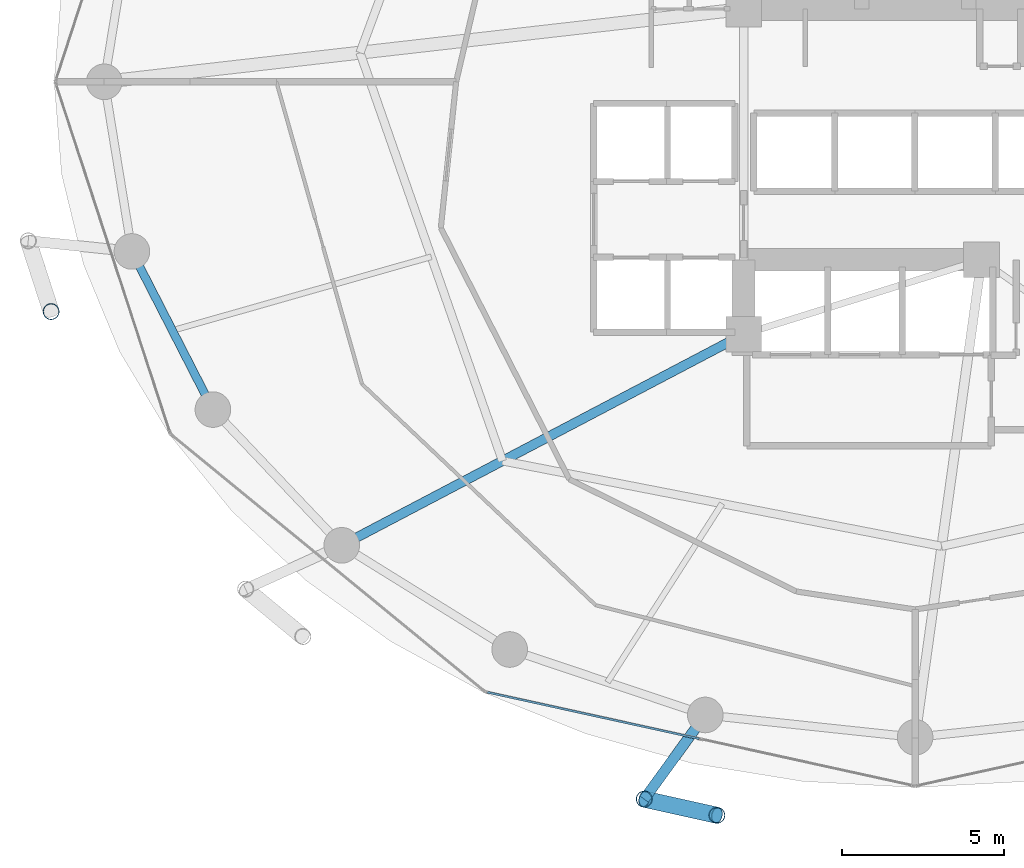
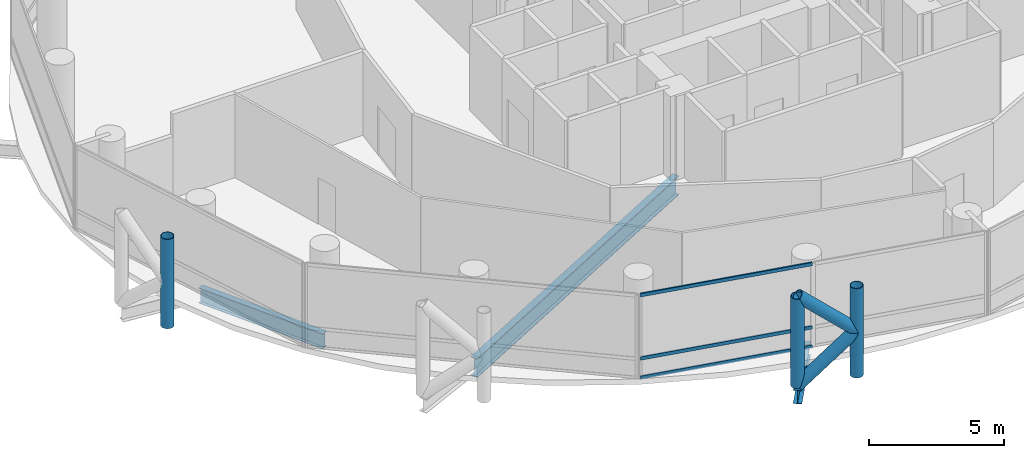
# One storey, part 3 of 24: 8 members, 3 beams, 1 element without a shape of its own.
"""IFC4 building model written with IfcOpenShell, lengths in metres."""

from ifc_helpers import new_model, si_unit, direction, frame, origin, origin_2d, place, context, subcontext, project, spatial, hollow_rectangle, hollow_circle, i_section, extrude, material, layer, layer_set, material_profile, profile_set, type_object, element, aggregate, save


model = new_model("IFC4")

# Units and contexts
model_context = context("Model", 3, precision=1e-05, world=origin(), true_north=direction((0.0, 1.0)))
body_context = subcontext(model_context, "Body", "Model", "MODEL_VIEW")
ifc_project = project(units=[si_unit("LENGTHUNIT", "METRE"), si_unit("AREAUNIT", "SQUARE_METRE"), si_unit("VOLUMEUNIT", "CUBIC_METRE"), si_unit("PLANEANGLEUNIT", "RADIAN"), si_unit("MASSUNIT", "GRAM", prefix="KILO")], contexts=[model_context])

# Site, building, storey
site_placement = place(None, origin())
site = spatial("IfcSite", under=ifc_project, at=site_placement, CompositionType="ELEMENT")
building_placement = place(site_placement, origin())
building = spatial("IfcBuilding", under=site, at=building_placement, Name="Nuhasar Tower", CompositionType="ELEMENT")
storey_placement = place(building_placement, frame((0.0, 0.0, 73.64990234375)))
storey = spatial("IfcBuildingStorey", under=building, at=storey_placement, Name="L17", CompositionType="ELEMENT", Elevation=73.64990234375)

# Beams
ifc_material_1 = material(Name="Steel S355", Category="steel")
ifc_material_profile_1 = material_profile(ifc_material_1, i_section(OverallWidth=0.2919921875, OverallDepth=0.85888671875, WebThickness=0.01708984375, FlangeThickness=0.031005859375, at=origin_2d()), Name="W33X169")
ifc_profile_set_1 = profile_set([ifc_material_profile_1], Name="Steel S355")
beam_type_1 = type_object("IfcBeamType", Name="BM-POD-W33X169", PredefinedType="BEAM", material=ifc_profile_set_1)
beam_1_placement = place(storey_placement, frame((33.699951171875, 19.0, -0.678955078125), z_axis=(-0.885330348705, -0.464962550816, 0.0), x_axis=(0.464962550816, -0.885330348705, 0.0)))
element("IfcBeam", 1, at=beam_1_placement, inside=storey, type_object=beam_type_1, Name="L17 Radial Floor Girder 01", PredefinedType="BEAM", context=body_context, shape_type="SweptSolid", body=[
    extrude(i_section(OverallWidth=0.2919921875, OverallDepth=0.85888671875, WebThickness=0.01708984375, FlangeThickness=0.031005859375, at=origin_2d()), origin(), (0.0, 0.0, 1.0), 14.0205078125),
])
ifc_material_profile_2 = material_profile(ifc_material_1, i_section(OverallWidth=0.256103515625, OverallDepth=0.693115234375, WebThickness=0.014404296875, FlangeThickness=0.023681640625, at=origin_2d()), Name="W27X114")
ifc_profile_set_2 = profile_set([ifc_material_profile_2], Name="Steel S355")
beam_type_2 = type_object("IfcBeamType", Name="BM-RING-W27X114", PredefinedType="SPANDREL", material=ifc_profile_set_2)
beam_2_placement = place(storey_placement, frame((14.803955078125, 21.55908203125, -0.596923828125), z_axis=(0.455930023905, -0.890015625314, 0.0), x_axis=(0.890015625314, 0.455930023905, 0.0)))
element("IfcBeam", 2, at=beam_2_placement, inside=storey, type_object=beam_type_2, Name="L17 Perimeter Ring Spandrel 14", PredefinedType="SPANDREL", context=body_context, shape_type="SweptSolid", body=[
    extrude(i_section(OverallWidth=0.256103515625, OverallDepth=0.693115234375, WebThickness=0.014404296875, FlangeThickness=0.023681640625, at=origin_2d()), origin(), (0.0, 0.0, 1.0), 5.487548828125),
])
ifc_material_profile_3 = material_profile(ifc_material_1, i_section(OverallWidth=0.323974609375, OverallDepth=0.611083984375, WebThickness=0.0126953125, FlangeThickness=0.01904296875, at=origin_2d()), Name="W24X104")
ifc_profile_set_3 = profile_set([ifc_material_profile_3], Name="Steel S355")
beam_type_3 = type_object("IfcBeamType", Name="BM-TIE-W24X104", PredefinedType="BEAM", material=ifc_profile_set_3)
beam_3_placement = place(storey_placement, frame((32.51708984375, 7.239990234375, -0.554931640625), z_axis=(-0.587403316448, -0.809294349311, 0.0), x_axis=(0.809294349311, -0.587403316448, 0.0)))
element("IfcBeam", 3, at=beam_3_placement, inside=storey, type_object=beam_type_3, Name="L17 Exoskeleton Node Tie Beam 09", PredefinedType="BEAM", context=body_context, shape_type="SweptSolid", body=[
    extrude(i_section(OverallWidth=0.323974609375, OverallDepth=0.611083984375, WebThickness=0.0126953125, FlangeThickness=0.01904296875, at=origin_2d()), origin(), (0.0, 0.0, 1.0), 3.212890625),
])

# Curtain wall, members
ifc_material_2 = material(Name="Aluminium 6063-T6", Category="aluminium")
ifc_layer = layer(ifc_material_2, 0.199951171875)
ifc_layer_set = layer_set([ifc_layer], Name="Aluminium 6063-T6")
curtain_wall_type = type_object("IfcCurtainWallType", Name="CW-Z1-OFF", PredefinedType="NOTDEFINED", material=ifc_layer_set)
curtain_wall_placement = place(storey_placement, origin())
curtain_wall = element("IfcCurtainWall", 4, at=curtain_wall_placement, inside=storey, type_object=curtain_wall_type, Name="L17 Unitised Curtain Wall 09", PredefinedType="NOTDEFINED")
ifc_material_profile_4 = material_profile(ifc_material_2, hollow_rectangle(XDim=0.06494140625, YDim=0.14990234375, WallThickness=0.00439453125, at=origin_2d()), Name="CWT-2")
ifc_profile_set_4 = profile_set([ifc_material_profile_4], Name="Aluminium 6063-T6")
member_type_1 = type_object("IfcMemberType", Name="CW-TRN-S2", PredefinedType="USERDEFINED", material=ifc_profile_set_4)
member_1_placement = place(storey_placement, frame((25.783447265625, 7.941162109375, 0.03271484375), z_axis=(0.976741923778, -0.214418316228, 0.0), x_axis=(0.214418316228, 0.976741923778, 0.0)))
member_1 = element("IfcMember", 5, at=member_1_placement, type_object=member_type_1, Name="CW-Z1 transom 1.1", ObjectType="TRANSOM", PredefinedType="USERDEFINED", context=body_context, shape_type="SweptSolid", body=[
    extrude(hollow_rectangle(XDim=0.06494140625, YDim=0.14990234375, WallThickness=0.00439453125, at=origin_2d()), origin(), (0.0, 0.0, 1.0), 6.70068359375),
])
member_2_placement = place(storey_placement, frame((25.783447265625, 7.941162109375, 0.900146484375), z_axis=(0.976741923778, -0.214418316228, 0.0), x_axis=(0.214418316228, 0.976741923778, 0.0)))
member_2 = element("IfcMember", 6, at=member_2_placement, type_object=member_type_1, Name="CW-Z1 transom 1.2", ObjectType="TRANSOM", PredefinedType="USERDEFINED", context=body_context, shape_type="SweptSolid", body=[
    extrude(hollow_rectangle(XDim=0.06494140625, YDim=0.14990234375, WallThickness=0.00439453125, at=origin_2d()), origin(), (0.0, 0.0, 1.0), 6.70068359375),
])
member_3_placement = place(storey_placement, frame((25.783447265625, 7.941162109375, 3.767578125), z_axis=(0.976741923778, -0.214418316228, 0.0), x_axis=(0.214418316228, 0.976741923778, 0.0)))
member_3 = element("IfcMember", 7, at=member_3_placement, type_object=member_type_1, Name="CW-Z1 transom 1.3", ObjectType="TRANSOM", PredefinedType="USERDEFINED", context=body_context, shape_type="SweptSolid", body=[
    extrude(hollow_rectangle(XDim=0.06494140625, YDim=0.14990234375, WallThickness=0.00439453125, at=origin_2d()), origin(), (0.0, 0.0, 1.0), 6.70068359375),
])
aggregate(curtain_wall, [member_1, member_2, member_3])

# Members
ifc_material_3 = material(Name="Steel S460", Category="steel")
ifc_material_profile_5 = material_profile(ifc_material_3, hollow_circle(Radius=0.25390625, WallThickness=0.025390625, at=origin_2d()), Name="HSS508X25.4")
ifc_profile_set_5 = profile_set([ifc_material_profile_5], Name="Steel S460")
member_type_2 = type_object("IfcMemberType", Name="EXO-BRONZE-508", PredefinedType="BRACE", material=ifc_profile_set_5)
for number, where, z_axis, x_axis, name in (
    (8, (12.30810546875, 19.700927734375, 0.0), (0.0, 0.0, 1.0), (1.0, 0.0, 0.0), "L17 Exoskeleton Chord Column EC-07B"),
    (9, (30.6298828125, 4.639892578125, 0.0), (0.0, 0.0, 1.0), (1.0, 0.0, 0.0), "L17 Exoskeleton Chord Column EC-09A"),
    (10, (32.8759765625, 4.14111328125, 0.0), (0.0, 0.0, 1.0), (1.0, 0.0, 0.0), "L17 Exoskeleton Chord Column EC-09B"),
):
    element("IfcMember", number, at=place(storey_placement, frame(where, z_axis=z_axis, x_axis=x_axis)), inside=storey, type_object=member_type_2, Name=name, PredefinedType="BRACE", context=body_context, shape_type="SweptSolid", body=[
        extrude(hollow_circle(Radius=0.25390625, WallThickness=0.025390625, at=origin_2d()), origin(), (0.0, 0.0, 1.0), 4.050048828125),
    ])
member_4_placement = place(storey_placement, frame((30.6298828125, 4.639892578125, 0.0), z_axis=(0.732792408767, -0.162727705556, 0.660707938122), x_axis=(0.216784396973, 0.976219506683, 0.0)))
element("IfcMember", 11, at=member_4_placement, inside=storey, type_object=member_type_2, Name="L17 Bronze Diagrid Brace W1-09", PredefinedType="BRACE", context=body_context, shape_type="SweptSolid", body=[
    extrude(hollow_circle(Radius=0.25390625, WallThickness=0.025390625, at=origin_2d()), origin(), (0.0, 0.0, 1.0), 3.065185546875),
])
member_5_placement = place(storey_placement, frame((32.8759765625, 4.14111328125, 2.025146484375), z_axis=(-0.732830973624, 0.162736269469, 0.66066305383), x_axis=(-0.216784396973, -0.976219506683, 0.0)))
element("IfcMember", 12, at=member_5_placement, inside=storey, type_object=member_type_2, Name="L17 Bronze Diagrid Brace W2-09", PredefinedType="BRACE", context=body_context, shape_type="SweptSolid", body=[
    extrude(hollow_circle(Radius=0.25390625, WallThickness=0.025390625, at=origin_2d()), origin(), (0.0, 0.0, 1.0), 3.06494140625),
])

save(model, "model.ifc")
